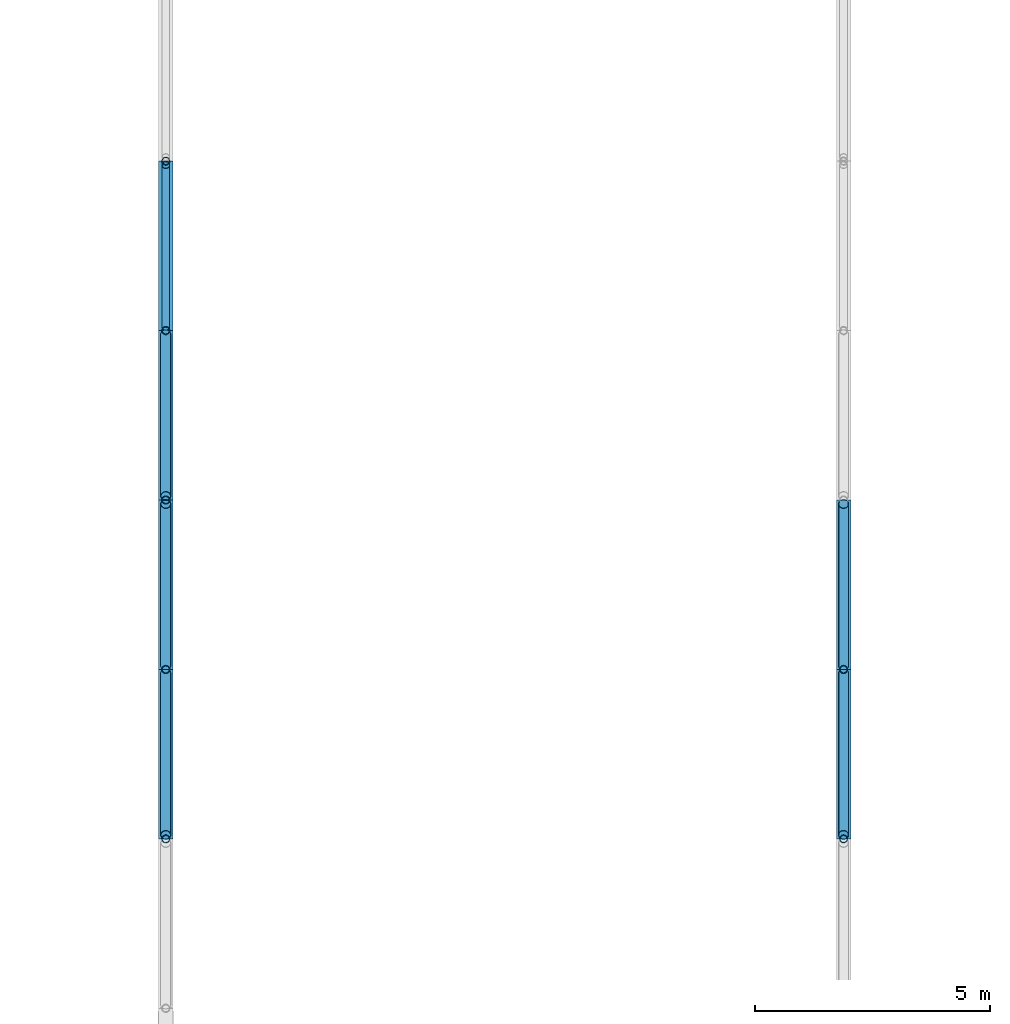
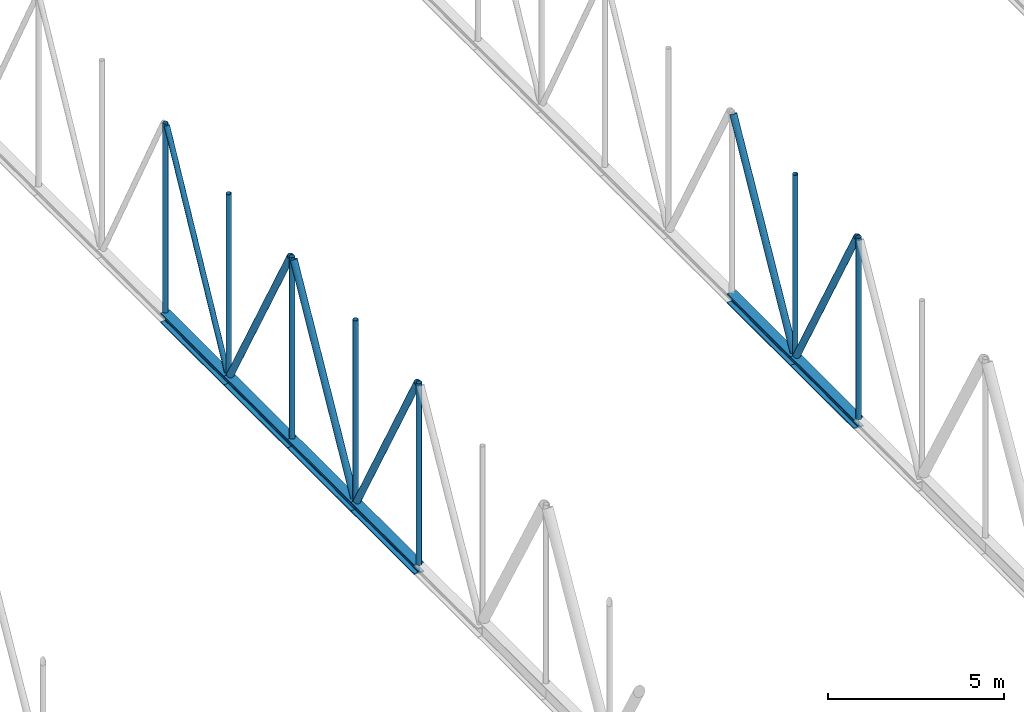
# One storey, part 58 of 142: 19 members.
"""IFC4 building model written with IfcOpenShell, lengths in metres."""

import ifcopenshell
import ifcopenshell.guid

model = None  # the IFC model being written
_history = None  # IfcOwnerHistory: only IFC2X3 demands one
_inside = {}  # id of a spatial element -> (the spatial element, [elements in it])
_under = {}  # id of a project, library or spatial element -> (it, [spatial elements below it])
_declared = {}  # id of a project -> (the project, [libraries it declares])
_typed = {}  # id of a type object -> (the type object, [elements of that type])
_made_of = {}  # id of a material, layer set ... -> (it, [elements and type objects made of it])


def new_model(schema):
    """Start an empty IFC model of exactly this schema.

    Asked for "IFC4X3", IfcOpenShell would pick the latest addendum, in which some entities
    have other attributes; the version numbers below select the first issue.
    IFC2X3 requires an IfcOwnerHistory on every rooted entity: one is made here for all.
    """
    global model, _history
    if schema == "IFC4X3":
        model = ifcopenshell.file(schema_version=(4, 3, 0, 0))
    else:
        model = ifcopenshell.file(schema=schema)
    _inside.clear()
    _under.clear()
    _declared.clear()
    _typed.clear()
    _made_of.clear()
    _history = None
    if model.schema == "IFC2X3":
        org = make("IfcOrganization", Name="unknown")
        user = make(
            "IfcPersonAndOrganization",
            ThePerson=make("IfcPerson", FamilyName="unknown"),
            TheOrganization=org,
        )
        app = make(
            "IfcApplication",
            ApplicationDeveloper=org,
            Version="unknown",
            ApplicationFullName="unknown",
            ApplicationIdentifier="unknown",
        )
        _history = make(
            "IfcOwnerHistory",
            OwningUser=user,
            OwningApplication=app,
            ChangeAction="ADDED",
            CreationDate=0,
        )
    return model


def make(cls, **values):
    """One entity of the class cls with the attributes given. An attribute that is None is left unset."""
    return model.create_entity(
        cls, **{name: value for name, value in values.items() if value is not None}
    )


def rooted(cls, **values):
    """An entity with a GlobalId (a new one), such as an element, a storey or a relation."""
    return make(cls, GlobalId=ifcopenshell.guid.new(), OwnerHistory=_history, **values)


def si_unit(unit_type, name, prefix=None):
    """IfcSIUnit, for example si_unit("LENGTHUNIT", "METRE", prefix="MILLI")."""
    return make("IfcSIUnit", UnitType=unit_type, Prefix=prefix, Name=name)


def assignment(units):
    """IfcUnitAssignment: the units of a project."""
    return None if units is None else make("IfcUnitAssignment", Units=units)


def point(xyz):
    """IfcCartesianPoint."""
    return None if xyz is None else make("IfcCartesianPoint", Coordinates=xyz)


def direction(xyz):
    """IfcDirection."""
    return None if xyz is None else make("IfcDirection", DirectionRatios=xyz)


def frame(location, z_axis=None, x_axis=None):
    """IfcAxis2Placement3D, a coordinate frame: its origin and axes. An axis left out is left unset."""
    return make(
        "IfcAxis2Placement3D",
        Location=point(location),
        Axis=direction(z_axis),
        RefDirection=direction(x_axis),
    )


def frame_2d(location, x_axis=None):
    """IfcAxis2Placement2D, a coordinate frame in the plane: its origin and x axis."""
    return make(
        "IfcAxis2Placement2D", Location=point(location), RefDirection=direction(x_axis)
    )


def origin():
    """The frame at (0, 0, 0) with its axes left unset."""
    return frame((0.0, 0.0, 0.0))


def origin_2d():
    """The frame at (0, 0) in the plane with its x axis left unset."""
    return frame_2d((0.0, 0.0))


def place(relative_to, where):
    """IfcLocalPlacement: puts the frame where relative to a parent placement (None: the world)."""
    return make(
        "IfcLocalPlacement", PlacementRelTo=relative_to, RelativePlacement=where
    )


def context(
    kind, dimensions, precision=None, world=None, true_north=None, identifier=None
):
    """IfcGeometricRepresentationContext, for example the 3D "Model" context."""
    return make(
        "IfcGeometricRepresentationContext",
        ContextIdentifier=identifier,
        ContextType=kind,
        CoordinateSpaceDimension=dimensions,
        Precision=precision,
        WorldCoordinateSystem=world,
        TrueNorth=true_north,
    )


def subcontext(parent, identifier, kind, view, scale=None):
    """IfcGeometricRepresentationSubContext, for example "Body" below "Model"."""
    return make(
        "IfcGeometricRepresentationSubContext",
        ContextIdentifier=identifier,
        ContextType=kind,
        ParentContext=parent,
        TargetScale=scale,
        TargetView=view,
    )


def project(units=None, contexts=None):
    """IfcProject with its units and contexts."""
    return rooted(
        "IfcProject",
        Name="project",
        RepresentationContexts=contexts,
        UnitsInContext=assignment(units),
    )


def spatial(cls, under=None, at=None, **own):
    """A site, building, storey or space (cls), placed at a placement, below another one or the project."""
    s = rooted(cls, ObjectPlacement=at, **own)
    if under is not None:
        _under.setdefault(under.id(), (under, []))[1].append(s)
    return s


def profile(cls, at=None, kind="AREA", **sizes):
    """A parametric profile (cls). Its sizes go by their IFC names, for example OverallWidth=200.0."""
    return make(cls, ProfileType=kind, Position=at, **sizes)


def hollow_circle(**sizes):
    """IfcCircleHollowProfileDef."""
    return profile("IfcCircleHollowProfileDef", **sizes)


def i_section(**sizes):
    """IfcIShapeProfileDef."""
    return profile("IfcIShapeProfileDef", **sizes)


def extrude(swept, where, along, depth):
    """IfcExtrudedAreaSolid: the profile swept, set in the frame where, extruded along a direction by depth."""
    return make(
        "IfcExtrudedAreaSolid",
        SweptArea=swept,
        Position=where,
        ExtrudedDirection=direction(along),
        Depth=depth,
    )


def shape(context_of_items, identifier, shape_type, items):
    """IfcShapeRepresentation: the items that make up one representation, for example the "Body"."""
    return make(
        "IfcShapeRepresentation",
        ContextOfItems=context_of_items,
        RepresentationIdentifier=identifier,
        RepresentationType=shape_type,
        Items=items,
    )


def material(Name=None, Category=None):
    """IfcMaterial."""
    return make("IfcMaterial", Name=Name, Category=Category)


def material_profile(
    of_material, cross_section, Name=None, Category=None, Priority=None
):
    """IfcMaterialProfile: a cross section and its material."""
    return make(
        "IfcMaterialProfile",
        Name=Name,
        Material=of_material,
        Profile=cross_section,
        Priority=Priority,
        Category=Category,
    )


def profile_set(profiles, Name=None, composite=None):
    """IfcMaterialProfileSet."""
    return make(
        "IfcMaterialProfileSet",
        Name=Name,
        MaterialProfiles=profiles,
        CompositeProfile=composite,
    )


def made_of(thing, what):
    """Note that an element or type object is made of a material, layer set ...; save() writes the relation."""
    if what is not None:
        _made_of.setdefault(what.id(), (what, []))[1].append(thing)
    return thing


def type_object(cls, material=None, **own):
    """A type object (cls), such as IfcWallType, which elements share."""
    return made_of(rooted(cls, **own), material)


def element(
    cls,
    number,
    at=None,
    inside=None,
    cuts=None,
    type_object=None,
    material=None,
    context=None,
    identifier="Body",
    shape_type=None,
    held_by="IfcProductDefinitionShape",
    body=None,
    shapes=None,
    **own,
):
    """One element of the class cls, such as IfcWall. Its Tag is "e" and its number.

    at: its placement. inside: the storey or other place that contains it. cuts: it is an
    opening in that element (IfcRelVoidsElement). A single representation is given by context,
    identifier, shape_type and body (its items); several are given by shapes. held_by: the class
    of the entity that holds the representations. save() writes the other relations.
    """
    e = rooted(cls, Tag="e%d" % number, ObjectPlacement=at, **own)
    if body is not None:
        shapes = [shape(context, identifier, shape_type, body)]
    if shapes is not None:
        e.Representation = make(held_by, Representations=shapes)
    if inside is not None:
        _inside.setdefault(inside.id(), (inside, []))[1].append(e)
    if cuts is not None:
        rooted(
            "IfcRelVoidsElement", RelatingBuildingElement=cuts, RelatedOpeningElement=e
        )
    if type_object is not None:
        _typed.setdefault(type_object.id(), (type_object, []))[1].append(e)
    return made_of(e, material)


def aggregate(whole, parts):
    """IfcRelAggregates: a whole, such as a stair, and the parts it consists of."""
    return rooted("IfcRelAggregates", RelatingObject=whole, RelatedObjects=parts)


def save(model, path):
    """Write the relations noted so far, then the file.

    IfcRelAggregates (storeys below a building ...), IfcRelContainedInSpatialStructure (elements
    in a storey), IfcRelDefinesByType, IfcRelAssociatesMaterial and IfcRelDeclares: one each for
    every whole, place, type object, material and project.
    """
    for whole, parts in _under.values():
        aggregate(whole, parts)
    for where, things in _inside.values():
        rooted(
            "IfcRelContainedInSpatialStructure",
            RelatedElements=things,
            RelatingStructure=where,
        )
    for kind, things in _typed.values():
        rooted("IfcRelDefinesByType", RelatedObjects=things, RelatingType=kind)
    for what, things in _made_of.values():
        rooted("IfcRelAssociatesMaterial", RelatedObjects=things, RelatingMaterial=what)
    for by, libraries in _declared.values():
        rooted("IfcRelDeclares", RelatingContext=by, RelatedDefinitions=libraries)
    model.write(path)


model = new_model("IFC4")

# Units and contexts
model_context = context("Model", 3, precision=1e-05, world=origin(), true_north=direction((0.0, 1.0)))
body_context = subcontext(model_context, "Body", "Model", "MODEL_VIEW")
ifc_project = project(units=[si_unit("LENGTHUNIT", "METRE"), si_unit("AREAUNIT", "SQUARE_METRE"), si_unit("VOLUMEUNIT", "CUBIC_METRE"), si_unit("PLANEANGLEUNIT", "RADIAN"), si_unit("MASSUNIT", "GRAM", prefix="KILO")], contexts=[model_context])

# Site, building, storey
site_placement = place(None, origin())
site = spatial("IfcSite", under=ifc_project, at=site_placement, CompositionType="ELEMENT")
building_placement = place(site_placement, origin())
building = spatial("IfcBuilding", under=site, at=building_placement, Name="Kupolbacken Congress Centre", CompositionType="ELEMENT")
storey_placement = place(building_placement, frame((0.0, 0.0, 14.39990234375)))
storey = spatial("IfcBuildingStorey", under=building, at=storey_placement, Name="L04", CompositionType="ELEMENT", Elevation=14.39990234375)

# Members
ifc_material_1 = material(Name="Steel S355", Category="steel")
ifc_material_profile_1 = material_profile(ifc_material_1, i_section(OverallWidth=0.31005859375, OverallDepth=0.340087890625, WebThickness=0.02099609375, FlangeThickness=0.0390625, FilletRadius=0.027099609375, at=origin_2d()), Name="HEM 300")
ifc_profile_set_1 = profile_set([ifc_material_profile_1], Name="Steel S355")
member_type_1 = type_object("IfcMemberType", Name="M01 transfer truss chord HEM 300", PredefinedType="CHORD", material=ifc_profile_set_1)
member_1_placement = place(storey_placement, frame((136.800048828125, 61.199951171875, 0.16015625), z_axis=(0.0, 1.0, 0.0), x_axis=(-1.0, 0.0, 0.0)))
element("IfcMember", 1, at=member_1_placement, inside=storey, type_object=member_type_1, Name="HT/T4/BC06", PredefinedType="CHORD", context=body_context, shape_type="SweptSolid", body=[
    extrude(i_section(OverallWidth=0.31005859375, OverallDepth=0.340087890625, WebThickness=0.02099609375, FlangeThickness=0.0390625, FilletRadius=0.027099609375, at=origin_2d()), origin(), (0.0, 0.0, 1.0), 3.60009765625),
])
member_2_placement = place(storey_placement, frame((136.800048828125, 64.800048828125, 0.16015625), z_axis=(0.0, 1.0, 0.0), x_axis=(-1.0, 0.0, 0.0)))
element("IfcMember", 2, at=member_2_placement, inside=storey, type_object=member_type_1, Name="HT/T4/BC07", PredefinedType="CHORD", context=body_context, shape_type="SweptSolid", body=[
    extrude(i_section(OverallWidth=0.31005859375, OverallDepth=0.340087890625, WebThickness=0.02099609375, FlangeThickness=0.0390625, FilletRadius=0.027099609375, at=origin_2d()), origin(), (0.0, 0.0, 1.0), 3.599853515625),
])
for number, where, z_axis, x_axis, name in (
    (3, (136.800048828125, 68.39990234375, 0.16015625), (0.0, 1.0, 0.0), (-1.0, 0.0, 0.0), "HT/T4/BC08"),
    (4, (136.800048828125, 72.0, 0.16015625), (0.0, 1.0, 0.0), (-1.0, 0.0, 0.0), "HT/T4/BC09"),
    (5, (151.199951171875, 61.199951171875, 0.16015625), (0.0, 1.0, 0.0), (-1.0, 0.0, 0.0), "HT/T5/BC06"),
):
    element("IfcMember", number, at=place(storey_placement, frame(where, z_axis=z_axis, x_axis=x_axis)), inside=storey, type_object=member_type_1, Name=name, PredefinedType="CHORD", context=body_context, shape_type="SweptSolid", body=[
        extrude(i_section(OverallWidth=0.31005859375, OverallDepth=0.340087890625, WebThickness=0.02099609375, FlangeThickness=0.0390625, FilletRadius=0.027099609375, at=origin_2d()), origin(), (0.0, 0.0, 1.0), 3.60009765625),
    ])
member_3_placement = place(storey_placement, frame((151.199951171875, 64.800048828125, 0.16015625), z_axis=(0.0, 1.0, 0.0), x_axis=(-1.0, 0.0, 0.0)))
element("IfcMember", 6, at=member_3_placement, inside=storey, type_object=member_type_1, Name="HT/T5/BC07", PredefinedType="CHORD", context=body_context, shape_type="SweptSolid", body=[
    extrude(i_section(OverallWidth=0.31005859375, OverallDepth=0.340087890625, WebThickness=0.02099609375, FlangeThickness=0.0390625, FilletRadius=0.027099609375, at=origin_2d()), origin(), (0.0, 0.0, 1.0), 3.599853515625),
])
ifc_material_2 = material(Name="Steel S355", Category="steel")
ifc_material_profile_2 = material_profile(ifc_material_2, hollow_circle(Radius=0.109619140625, WallThickness=0.010009765625, at=origin_2d()), Name="CHS 219.1 x 10")
ifc_profile_set_2 = profile_set([ifc_material_profile_2], Name="Steel S355")
member_type_2 = type_object("IfcMemberType", Name="M05 transfer truss web CHS 219.1 x 10", PredefinedType="BRACE", material=ifc_profile_set_2)
member_4_placement = place(storey_placement, frame((136.800048828125, 61.2841796875, 6.5576171875), z_axis=(0.0, 0.48517101949, -0.874419282637), x_axis=(-1.0, 0.0, 0.0)))
element("IfcMember", 7, at=member_4_placement, inside=storey, type_object=member_type_2, Name="HT/T4/D06", PredefinedType="BRACE", context=body_context, shape_type="SweptSolid", body=[
    extrude(hollow_circle(Radius=0.109619140625, WallThickness=0.010009765625, at=origin_2d()), origin(), (0.0, 0.0, 1.0), 7.072998046875),
])
member_5_placement = place(storey_placement, frame((136.800048828125, 64.884033203125, 0.372802734375), z_axis=(0.0, 0.485197410842, 0.87440463889), x_axis=(-1.0, 0.0, 0.0)))
element("IfcMember", 8, at=member_5_placement, inside=storey, type_object=member_type_2, Name="HT/T4/D07", PredefinedType="BRACE", context=body_context, shape_type="SweptSolid", body=[
    extrude(hollow_circle(Radius=0.109619140625, WallThickness=0.010009765625, at=origin_2d()), origin(), (0.0, 0.0, 1.0), 7.0732421875),
])
for number, where, z_axis, x_axis, name in (
    (9, (136.800048828125, 68.484130859375, 6.5576171875), (0.0, 0.48517101949, -0.874419282637), (-1.0, 0.0, 0.0), "HT/T4/D08"),
    (10, (151.199951171875, 61.2841796875, 6.5576171875), (0.0, 0.48517101949, -0.874419282637), (-1.0, 0.0, 0.0), "HT/T5/D06"),
):
    element("IfcMember", number, at=place(storey_placement, frame(where, z_axis=z_axis, x_axis=x_axis)), inside=storey, type_object=member_type_2, Name=name, PredefinedType="BRACE", context=body_context, shape_type="SweptSolid", body=[
        extrude(hollow_circle(Radius=0.109619140625, WallThickness=0.010009765625, at=origin_2d()), origin(), (0.0, 0.0, 1.0), 7.072998046875),
    ])
member_6_placement = place(storey_placement, frame((151.199951171875, 64.884033203125, 0.372802734375), z_axis=(0.0, 0.485197410842, 0.87440463889), x_axis=(-1.0, 0.0, 0.0)))
element("IfcMember", 11, at=member_6_placement, inside=storey, type_object=member_type_2, Name="HT/T5/D07", PredefinedType="BRACE", context=body_context, shape_type="SweptSolid", body=[
    extrude(hollow_circle(Radius=0.109619140625, WallThickness=0.010009765625, at=origin_2d()), origin(), (0.0, 0.0, 1.0), 7.0732421875),
])
ifc_material_3 = material(Name="Steel S355", Category="steel")
ifc_material_profile_3 = material_profile(ifc_material_3, hollow_circle(Radius=0.084228515625, WallThickness=0.008056640625, at=origin_2d()), Name="CHS 168.3 x 8")
ifc_profile_set_3 = profile_set([ifc_material_profile_3], Name="Steel S355")
member_type_3 = type_object("IfcMemberType", Name="M06 transfer truss web CHS 168.3 x 8", PredefinedType="BRACE", material=ifc_profile_set_3)
member_7_placement = place(storey_placement, frame((136.800048828125, 72.084228515625, 0.359130859375), z_axis=(0.0, 0.468455727838, 0.883486972771), x_axis=(-1.0, 0.0, 0.0)))
element("IfcMember", 12, at=member_7_placement, inside=storey, type_object=member_type_3, Name="HT/T4/D09", PredefinedType="BRACE", context=body_context, shape_type="SweptSolid", body=[
    extrude(hollow_circle(Radius=0.084228515625, WallThickness=0.008056640625, at=origin_2d()), origin(), (0.0, 0.0, 1.0), 7.325439453125),
])
ifc_material_4 = material(Name="Steel S355", Category="steel")
ifc_material_profile_4 = material_profile(ifc_material_4, hollow_circle(Radius=0.084228515625, WallThickness=0.008056640625, at=origin_2d()), Name="CHS 168.3 x 8")
ifc_profile_set_4 = profile_set([ifc_material_profile_4], Name="Steel S355")
member_type_4 = type_object("IfcMemberType", Name="M20 transfer truss post CHS 168.3 x 8", PredefinedType="STRUT", material=ifc_profile_set_4)
for number, where, z_axis, x_axis, name in (
    (13, (136.800048828125, 61.199951171875, 0.320068359375), (0.0, 0.0, 1.0), (0.0, 1.0, 0.0), "HT/T4/P05"),
    (14, (136.800048828125, 64.800048828125, 0.320068359375), (0.0, 0.0, 1.0), (0.0, 1.0, 0.0), "HT/T4/P06"),
    (15, (136.800048828125, 68.39990234375, 0.320068359375), (0.0, 0.0, 1.0), (0.0, 1.0, 0.0), "HT/T4/P07"),
    (16, (136.800048828125, 72.0, 0.320068359375), (0.0, 0.0, 1.0), (0.0, 1.0, 0.0), "HT/T4/P08"),
):
    element("IfcMember", number, at=place(storey_placement, frame(where, z_axis=z_axis, x_axis=x_axis)), inside=storey, type_object=member_type_4, Name=name, PredefinedType="STRUT", context=body_context, shape_type="SweptSolid", body=[
        extrude(hollow_circle(Radius=0.084228515625, WallThickness=0.008056640625, at=origin_2d()), origin(), (0.0, 0.0, 1.0), 6.2900390625),
    ])
member_8_placement = place(storey_placement, frame((136.800048828125, 75.60009765625, 0.320068359375), z_axis=(0.0, 0.0, 1.0), x_axis=(0.0, 1.0, 0.0)))
element("IfcMember", 17, at=member_8_placement, inside=storey, type_object=member_type_4, Name="HT/T4/P09", PredefinedType="STRUT", context=body_context, shape_type="SweptSolid", body=[
    extrude(hollow_circle(Radius=0.084228515625, WallThickness=0.008056640625, at=origin_2d()), origin(), (0.0, 0.0, 1.0), 6.550048828125),
])
for number, where, z_axis, x_axis, name in (
    (18, (151.199951171875, 61.199951171875, 0.320068359375), (0.0, 0.0, 1.0), (0.0, 1.0, 0.0), "HT/T5/P05"),
    (19, (151.199951171875, 64.800048828125, 0.320068359375), (0.0, 0.0, 1.0), (0.0, 1.0, 0.0), "HT/T5/P06"),
):
    element("IfcMember", number, at=place(storey_placement, frame(where, z_axis=z_axis, x_axis=x_axis)), inside=storey, type_object=member_type_4, Name=name, PredefinedType="STRUT", context=body_context, shape_type="SweptSolid", body=[
        extrude(hollow_circle(Radius=0.084228515625, WallThickness=0.008056640625, at=origin_2d()), origin(), (0.0, 0.0, 1.0), 6.2900390625),
    ])

save(model, "model.ifc")
